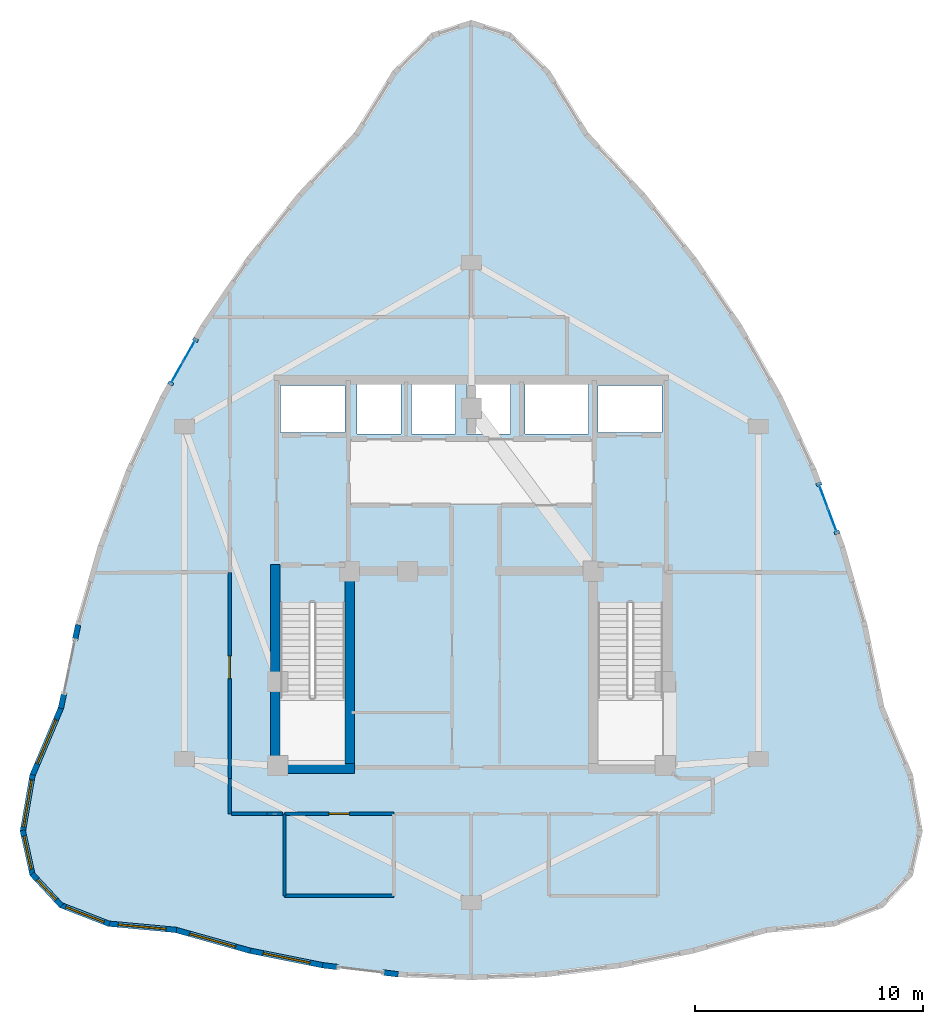
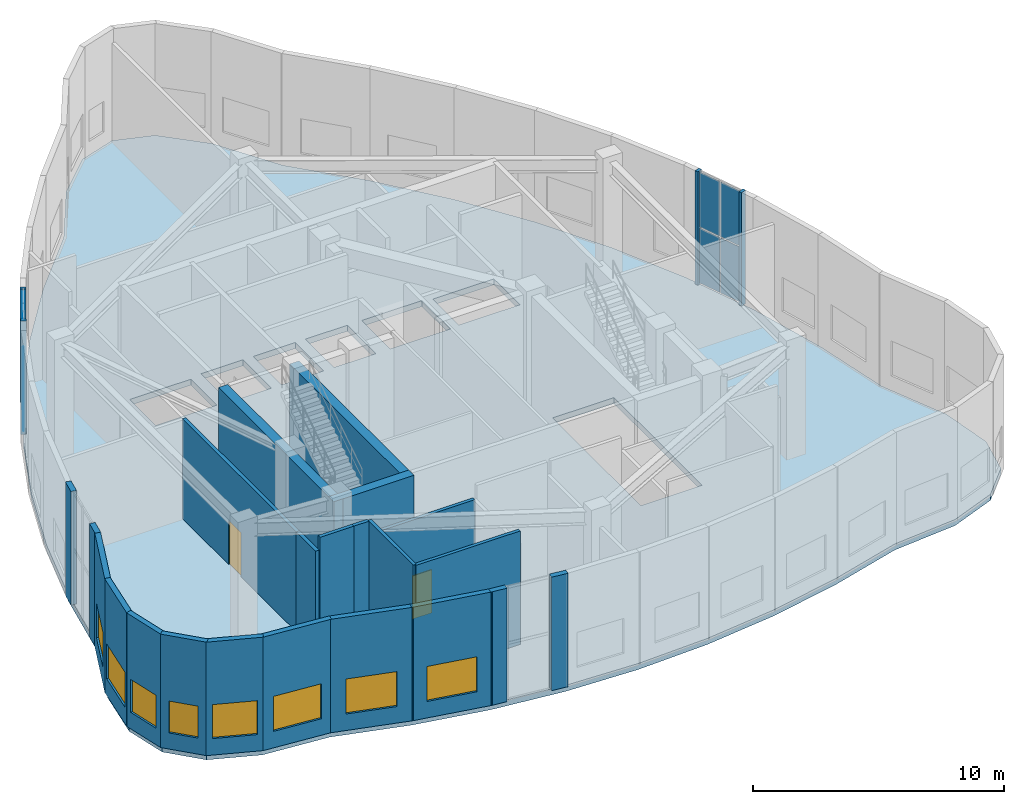
# One storey, part 11 of 16: 22 walls, 12 plates, 8 windows, 2 doors, 1 slab, 10 openings, 2 elements without a shape of their own.
"""IFC4 building model written with IfcOpenShell, lengths in metres."""

from ifc_helpers import new_model, si_unit, direction, frame, frame_2d, origin, origin_2d, place, context, subcontext, project, spatial, polyline, rectangle, outline, extrude, material, layer, layer_set, type_object, element, fill, aggregate, save


model = new_model("IFC4")

# Units and contexts
model_context = context("Model", 3, precision=1e-05, world=origin(), true_north=direction((0.0, 1.0)))
body_context = subcontext(model_context, "Body", "Model", "MODEL_VIEW")
ifc_project = project(units=[si_unit("LENGTHUNIT", "METRE"), si_unit("AREAUNIT", "SQUARE_METRE"), si_unit("VOLUMEUNIT", "CUBIC_METRE"), si_unit("PLANEANGLEUNIT", "RADIAN"), si_unit("MASSUNIT", "GRAM", prefix="KILO")], contexts=[model_context])

# Site, building, storey
site_placement = place(None, origin())
site = spatial("IfcSite", under=ifc_project, at=site_placement, CompositionType="ELEMENT")
building_placement = place(site_placement, origin())
building = spatial("IfcBuilding", under=site, at=building_placement, Name="Miruveldt Soraemaru", CompositionType="ELEMENT")
storey_placement = place(building_placement, frame((0.0, 0.0, 289.60009765625)))
storey = spatial("IfcBuildingStorey", under=building, at=storey_placement, Name="L78", CompositionType="ELEMENT", Elevation=289.60009765625)

# Curtain wall, plates
ifc_material_1 = material(Name="Anodised aluminium EN AW-6063 T6", Category="aluminium")
ifc_layer_1 = layer(ifc_material_1, 0.1650390625, Name="Anodised aluminium EN AW-6063 T6", Category="aluminium")
ifc_layer_set_1 = layer_set([ifc_layer_1], Name="Anodised aluminium EN AW-6063 T6")
curtain_wall_type = type_object("IfcCurtainWallType", Name="CW-SYS-5", PredefinedType="USERDEFINED", material=ifc_layer_set_1)
curtain_wall_1_placement = place(storey_placement, origin())
curtain_wall_1 = element("IfcCurtainWall", 1, at=curtain_wall_1_placement, inside=storey, type_object=curtain_wall_type, Name="L78 Curtain Wall Bay 10", ObjectType="UNITISED GLAZING", PredefinedType="USERDEFINED")
ifc_material_2 = material(Name="Triple low-e insulated glazing", Category="glass")
ifc_layer_2 = layer(ifc_material_2, 0.02587890625, Name="Triple low-e insulated glazing", Category="glass")
ifc_layer_set_2 = layer_set([ifc_layer_2], Name="Triple low-e insulated glazing")
plate_type_1 = type_object("IfcPlateType", Name="CWP-5", PredefinedType="CURTAIN_PANEL", material=ifc_layer_set_2)
plate_1_placement = place(storey_placement, frame((31.6162109375, 53.711181640625, 0.059814453125), z_axis=(0.0, 0.0, 1.0), x_axis=(-0.493324207437, -0.869845518674, 0.0)))
plate_1 = element("IfcPlate", 2, at=plate_1_placement, type_object=plate_type_1, Name="CW-5 panel 1.1", PredefinedType="CURTAIN_PANEL", context=body_context, shape_type="SweptSolid", body=[
    extrude(rectangle(XDim=1.010986328125, YDim=0.02587890625, at=origin_2d()), origin(), (0.0, 0.0, 1.0), 2.6650390625),
])
plate_2_placement = place(storey_placement, frame((31.6162109375, 53.711181640625, 2.784912109375), z_axis=(0.0, 0.0, 1.0), x_axis=(-0.493324207437, -0.869845518674, 0.0)))
plate_2 = element("IfcPlate", 3, at=plate_2_placement, type_object=plate_type_1, Name="CW-5 panel 1.2", PredefinedType="CURTAIN_PANEL", context=body_context, shape_type="SweptSolid", body=[
    extrude(rectangle(XDim=1.010986328125, YDim=0.02587890625, at=origin_2d()), origin(), (0.0, 0.0, 1.0), 2.6650390625),
])
plate_3_placement = place(storey_placement, frame((31.087890625, 52.77978515625, 0.059814453125), z_axis=(0.0, 0.0, 1.0), x_axis=(-0.493324207437, -0.869845518674, 0.0)))
plate_3 = element("IfcPlate", 4, at=plate_3_placement, type_object=plate_type_1, Name="CW-5 panel 2.1", PredefinedType="CURTAIN_PANEL", context=body_context, shape_type="SweptSolid", body=[
    extrude(rectangle(XDim=1.010986328125, YDim=0.02587890625, at=origin_2d()), origin(), (0.0, 0.0, 1.0), 2.6650390625),
])
plate_4_placement = place(storey_placement, frame((31.087890625, 52.77978515625, 2.784912109375), z_axis=(0.0, 0.0, 1.0), x_axis=(-0.493324207437, -0.869845518674, 0.0)))
plate_4 = element("IfcPlate", 5, at=plate_4_placement, type_object=plate_type_1, Name="CW-5 panel 2.2", PredefinedType="CURTAIN_PANEL", context=body_context, shape_type="SweptSolid", body=[
    extrude(rectangle(XDim=1.010986328125, YDim=0.02587890625, at=origin_2d()), origin(), (0.0, 0.0, 1.0), 2.6650390625),
])
aggregate(curtain_wall_1, [plate_1, plate_2, plate_3, plate_4])

curtain_wall_2_placement = place(storey_placement, origin())
curtain_wall_2 = element("IfcCurtainWall", 6, at=curtain_wall_2_placement, inside=storey, type_object=curtain_wall_type, Name="L78 Curtain Wall Bay 37", ObjectType="UNITISED GLAZING", PredefinedType="USERDEFINED")
plate_5_placement = place(storey_placement, frame((59.843505859375, 46.286376953125, 0.059814453125), z_axis=(0.0, 0.0, 1.0), x_axis=(-0.348989723009, 0.937126551344, 0.0)))
plate_5 = element("IfcPlate", 7, at=plate_5_placement, type_object=plate_type_1, Name="CW-5 panel 1.1", PredefinedType="CURTAIN_PANEL", context=body_context, shape_type="SweptSolid", body=[
    extrude(rectangle(XDim=1.04296875, YDim=0.02587890625, at=origin_2d()), origin(), (0.0, 0.0, 1.0), 2.6650390625),
])
plate_6_placement = place(storey_placement, frame((59.843505859375, 46.286376953125, 2.784912109375), z_axis=(0.0, 0.0, 1.0), x_axis=(-0.348989723009, 0.937126551344, 0.0)))
plate_6 = element("IfcPlate", 8, at=plate_6_placement, type_object=plate_type_1, Name="CW-5 panel 1.2", PredefinedType="CURTAIN_PANEL", context=body_context, shape_type="SweptSolid", body=[
    extrude(rectangle(XDim=1.04296875, YDim=0.02587890625, at=origin_2d()), origin(), (0.0, 0.0, 1.0), 2.6650390625),
])
plate_7_placement = place(storey_placement, frame((59.458740234375, 47.320068359375, 0.059814453125), z_axis=(0.0, 0.0, 1.0), x_axis=(-0.348989723009, 0.937126551344, 0.0)))
plate_7 = element("IfcPlate", 9, at=plate_7_placement, type_object=plate_type_1, Name="CW-5 panel 2.1", PredefinedType="CURTAIN_PANEL", context=body_context, shape_type="SweptSolid", body=[
    extrude(rectangle(XDim=1.04296875, YDim=0.02587890625, at=origin_2d()), origin(), (0.0, 0.0, 1.0), 2.6650390625),
])
plate_8_placement = place(storey_placement, frame((59.458740234375, 47.320068359375, 2.784912109375), z_axis=(0.0, 0.0, 1.0), x_axis=(-0.348989723009, 0.937126551344, 0.0)))
plate_8 = element("IfcPlate", 10, at=plate_8_placement, type_object=plate_type_1, Name="CW-5 panel 2.2", PredefinedType="CURTAIN_PANEL", context=body_context, shape_type="SweptSolid", body=[
    extrude(rectangle(XDim=1.04296875, YDim=0.02587890625, at=origin_2d()), origin(), (0.0, 0.0, 1.0), 2.6650390625),
])
aggregate(curtain_wall_2, [plate_5, plate_6, plate_7, plate_8])

# Plates
ifc_layer_3 = layer(ifc_material_1, 0.030029296875, Name="Anodised aluminium EN AW-6063 T6", Category="aluminium")
ifc_layer_set_3 = layer_set([ifc_layer_3], Name="Anodised aluminium EN AW-6063 T6")
plate_type_2 = type_object("IfcPlateType", Name="PLT-JAMB-30", PredefinedType="SHEET", material=ifc_layer_set_3)
for number, where, z_axis, x_axis, name in (
    (11, (31.895263671875, 54.203125, 0.0), (0.0, 0.0, 1.0), (-0.493349905778, -0.869830943614, 0.0), "L78 Curtain Wall Jamb Closure Trim 10JL"),
    (12, (30.808837890625, 52.287841796875, 0.0), (0.0, 0.0, 1.0), (-0.493349905778, -0.869830943614, 0.0), "L78 Curtain Wall Jamb Closure Trim 10JR"),
    (13, (60.04638671875, 45.741455078125, 0.0), (0.0, 0.0, 1.0), (-0.349013692334, 0.937117624721, 0.0), "L78 Curtain Wall Jamb Closure Trim 37JL"),
    (14, (59.255615234375, 47.864990234375, 0.0), (0.0, 0.0, 1.0), (-0.349013692334, 0.937117624721, 0.0), "L78 Curtain Wall Jamb Closure Trim 37JR"),
):
    element("IfcPlate", number, at=place(storey_placement, frame(where, z_axis=z_axis, x_axis=x_axis)), inside=storey, type_object=plate_type_2, Name=name, PredefinedType="SHEET", context=body_context, shape_type="SweptSolid", body=[
        extrude(rectangle(XDim=0.139892578125, YDim=0.239990234375, at=origin_2d()), origin(), (0.0, 0.0, 1.0), 5.510009765625),
    ])

# Slab
ifc_material_3 = material(Name="Concrete C40/50 (40 MPa)", Category="concrete")
ifc_layer_4 = layer(ifc_material_3, 0.2900390625, Name="Concrete C40/50 (40 MPa)", Category="concrete")
ifc_layer_set_4 = layer_set([ifc_layer_4], Name="Concrete C40/50 (40 MPa)")
slab_type = type_object("IfcSlabType", Name="SLAB-OBSV-290", PredefinedType="FLOOR", material=ifc_layer_set_4)
slab_placement = place(storey_placement, frame((0.0, 0.0, -0.2900390625)))
element("IfcSlab", 15, at=slab_placement, inside=storey, type_object=slab_type, Name="L78 Structural Floor Slab", PredefinedType="FLOOR", context=body_context, shape_type="SweptSolid", body=[
    extrude(outline(polyline([(51.532470703125, 60.543701171875), (53.7841796875, 57.720947265625), (55.7841796875, 54.7685546875), (57.5322265625, 51.686279296875), (59.02880859375, 48.47412109375), (60.2734375, 45.13232421875), (61.266357421875, 41.660888671875), (62.007568359375, 38.059326171875), (63.2646484375, 35.07861328125), (63.68359375, 32.6396484375), (63.2646484375, 30.742919921875), (62.007568359375, 29.387939453125), (59.912109375, 28.574951171875), (56.978515625, 28.303955078125), (53.73388671875, 27.3955078125), (50.4892578125, 26.74658203125), (47.24462890625, 26.357177734375), (44.0, 26.227294921875), (40.75537109375, 26.357177734375), (37.5107421875, 26.74658203125), (34.26611328125, 27.3955078125), (31.021484375, 28.303955078125), (28.087890625, 28.574951171875), (25.992431640625, 29.387939453125), (24.7353515625, 30.742919921875), (24.31640625, 32.6396484375), (24.7353515625, 35.07861328125), (25.992431640625, 38.059326171875), (26.733642578125, 41.660888671875), (27.7265625, 45.13232421875), (28.97119140625, 48.47412109375), (30.4677734375, 51.686279296875), (32.2158203125, 54.7685546875), (34.2158203125, 57.720947265625), (36.467529296875, 60.543701171875), (38.97119140625, 63.236572265625), (40.6474609375, 65.9462890625), (42.32373046875, 67.572265625), (44.0, 68.1142578125), (45.67626953125, 67.572265625), (47.3525390625, 65.9462890625), (49.02880859375, 63.236572265625), (51.532470703125, 60.543701171875)]), holes=[polyline([(35.614990234375, 35.6650390625), (38.43505859375, 35.6650390625), (38.43505859375, 42.68505859375), (35.614990234375, 42.68505859375), (35.614990234375, 35.6650390625)]), polyline([(49.56494140625, 35.6650390625), (52.385009765625, 35.6650390625), (52.385009765625, 42.68505859375), (49.56494140625, 42.68505859375), (49.56494140625, 35.6650390625)]), polyline([(38.445068359375, 50.135009765625), (38.445068359375, 52.205078125), (35.635009765625, 52.205078125), (35.635009765625, 50.135009765625), (38.445068359375, 50.135009765625)]), polyline([(52.364990234375, 50.135009765625), (52.364990234375, 52.205078125), (49.554931640625, 52.205078125), (49.554931640625, 50.135009765625), (52.364990234375, 50.135009765625)]), polyline([(40.9150390625, 50.06494140625), (40.9150390625, 52.3349609375), (38.985107421875, 52.3349609375), (38.985107421875, 50.06494140625), (40.9150390625, 50.06494140625)]), polyline([(43.31494140625, 50.06494140625), (43.31494140625, 52.3349609375), (41.385009765625, 52.3349609375), (41.385009765625, 50.06494140625), (43.31494140625, 50.06494140625)]), polyline([(45.715087890625, 50.06494140625), (45.715087890625, 52.3349609375), (43.784912109375, 52.3349609375), (43.784912109375, 50.06494140625), (45.715087890625, 50.06494140625)]), polyline([(49.135009765625, 50.06494140625), (49.135009765625, 52.3349609375), (46.364990234375, 52.3349609375), (46.364990234375, 50.06494140625), (49.135009765625, 50.06494140625)])]), origin(), (0.0, 0.0, 1.0), 0.2900390625),
])

# Walls
ifc_material_4 = material(Name="Concrete C50/60 (50 MPa)", Category="concrete")
ifc_layer_5 = layer(ifc_material_4, 0.419921875, Name="Concrete C50/60 (50 MPa)", Category="concrete")
ifc_layer_set_5 = layer_set([ifc_layer_5], Name="Concrete C50/60 (50 MPa)")
wall_type_1 = type_object("IfcWallType", Name="WALL-CW-420", PredefinedType="SHEAR", material=ifc_layer_set_5)
wall_1_placement = place(storey_placement, frame((35.179931640625, 35.389892578125, 0.0), z_axis=(0.0, 0.0, 1.0), x_axis=(1.0, 0.0, 0.0)))
element("IfcWall", 16, at=wall_1_placement, inside=storey, type_object=wall_type_1, Name="L78 Central Core Shear Wall S1", PredefinedType="SHEAR", context=body_context, shape_type="SweptSolid", body=[
    extrude(rectangle(XDim=3.690185546875, YDim=0.419921875, at=frame_2d((1.84521484375, 0.0))), origin(), (0.0, 0.0, 1.0), 5.510009765625),
])
wall_2_placement = place(storey_placement, frame((35.389892578125, 35.179931640625, 0.0), z_axis=(0.0, 0.0, 1.0), x_axis=(0.0, 1.0, 0.0)))
element("IfcWall", 17, at=wall_2_placement, inside=storey, type_object=wall_type_1, Name="L78 Central Core Shear Wall W1", PredefinedType="SHEAR", context=body_context, shape_type="SweptSolid", body=[
    extrude(rectangle(XDim=9.170166015625, YDim=0.419921875, at=frame_2d((4.5849609375, 0.0))), origin(), (0.0, 0.0, 1.0), 5.510009765625),
])
wall_3_placement = place(storey_placement, frame((38.659912109375, 35.39990234375, 0.0), z_axis=(0.0, 0.0, 1.0), x_axis=(0.0, 1.0, 0.0)))
element("IfcWall", 18, at=wall_3_placement, inside=storey, type_object=wall_type_1, Name="L78 Central Core Shear Wall SW-INT", PredefinedType="SHEAR", context=body_context, shape_type="SweptSolid", body=[
    extrude(rectangle(XDim=8.9501953125, YDim=0.419921875, at=frame_2d((4.47509765625, 0.0))), origin(), (0.0, 0.0, 1.0), 5.510009765625),
])
ifc_material_5 = material(Name="Precast concrete C45/55 (45 MPa)", Category="concrete")
ifc_layer_6 = layer(ifc_material_5, 0.239990234375, Name="Precast concrete C45/55 (45 MPa)", Category="concrete")
ifc_layer_set_6 = layer_set([ifc_layer_6], Name="Precast concrete C45/55 (45 MPa)")
wall_type_2 = type_object("IfcWallType", Name="WALL-EXT-PC240", PredefinedType="SOLIDWALL", material=ifc_layer_set_6)
for number, where, z_axis, x_axis, name in (
    (19, (26.74072265625, 41.695068359375, 0.0), (0.0, 0.0, 1.0), (-0.201574740151, -0.979473135993, 0.0), "L78 Precast Pier Left 14"),
    (20, (26.12744140625, 38.715576171875, 0.0), (0.0, 0.0, 1.0), (-0.201574740151, -0.979473135993, 0.0), "L78 Precast Pier Right 14"),
):
    element("IfcWall", number, at=place(storey_placement, frame(where, z_axis=z_axis, x_axis=x_axis)), inside=storey, type_object=wall_type_2, Name=name, PredefinedType="SOLIDWALL", context=body_context, shape_type="SweptSolid", body=[
        extrude(rectangle(XDim=0.704833984375, YDim=0.239990234375, at=frame_2d((0.3525390625, 0.0))), origin(), (0.0, 0.0, 1.0), 5.510009765625),
    ])

# Wall, opening, window
wall_4_placement = place(storey_placement, frame((26.006103515625, 38.091552734375, 0.0), z_axis=(0.0, 0.0, 1.0), x_axis=(-0.388634854996, -0.921391854469, 0.0)))
wall_4 = element("IfcWall", 21, at=wall_4_placement, inside=storey, type_object=wall_type_2, Name="L78 Precast Concrete Facade Wall 15", PredefinedType="SOLIDWALL", context=body_context, shape_type="SweptSolid", body=[
    extrude(rectangle(XDim=3.304931640625, YDim=0.239990234375, at=frame_2d((1.65234375, 0.0))), origin(), (0.0, 0.0, 1.0), 5.510009765625),
])
opening_1_placement = place(wall_4_placement, frame((0.60302734375, 0.0, 0.800048828125)))
opening_1 = element("IfcOpeningElement", 22, at=opening_1_placement, cuts=wall_4, Name="Opening WN-1", PredefinedType="OPENING", context=body_context, shape_type="SweptSolid", body=[
    extrude(rectangle(XDim=2.10009765625, YDim=1.699951171875, at=frame_2d((1.050048828125, 0.85009765625))), frame((0.0, 0.1298828125, 0.0), z_axis=(0.0, -1.0, 0.0), x_axis=(1.0, 0.0, 0.0)), (0.0, 0.0, 1.0), 0.260009765625),
])
window_type_1 = type_object("IfcWindowType", Name="WIN-PUNCH-2100x1700", PartitioningType="SINGLE_PANEL", PredefinedType="WINDOW", material=ifc_material_2)
window_1_placement = place(opening_1_placement, origin())
window_1 = element("IfcWindow", 23, at=window_1_placement, inside=storey, type_object=window_type_1, Name="L78 Punched Triple-Glazed Window 15.1", OverallHeight=1.699951171875, OverallWidth=2.10009765625, PartitioningType="SINGLE_PANEL", PredefinedType="WINDOW", context=body_context, shape_type="SweptSolid", body=[
    extrude(rectangle(XDim=2.10009765625, YDim=1.699951171875, at=frame_2d((1.050048828125, 0.85009765625))), frame((0.0, 0.030029296875, 0.0), z_axis=(0.0, -1.0, 0.0), x_axis=(1.0, 0.0, 0.0)), (0.0, 0.0, 1.0), 0.06005859375),
])
fill(opening_1, window_1)

wall_5_placement = place(storey_placement, frame((24.7412109375, 35.113037109375, 0.0), z_axis=(0.0, 0.0, 1.0), x_axis=(-0.169344618937, -0.985556898427, 0.0)))
wall_5 = element("IfcWall", 24, at=wall_5_placement, inside=storey, type_object=wall_type_2, Name="L78 Precast Concrete Facade Wall 16", PredefinedType="SOLIDWALL", context=body_context, shape_type="SweptSolid", body=[
    extrude(rectangle(XDim=2.544677734375, YDim=0.239990234375, at=frame_2d((1.2724609375, 0.0))), origin(), (0.0, 0.0, 1.0), 5.510009765625),
])
opening_2_placement = place(wall_5_placement, frame((0.222900390625, 0.0, 0.800048828125)))
opening_2 = element("IfcOpeningElement", 25, at=opening_2_placement, cuts=wall_5, Name="Opening WN-1", PredefinedType="OPENING", context=body_context, shape_type="SweptSolid", body=[
    extrude(rectangle(XDim=2.10009765625, YDim=1.699951171875, at=frame_2d((1.050048828125, 0.85009765625))), frame((0.0, 0.1298828125, 0.0), z_axis=(0.0, -1.0, 0.0), x_axis=(1.0, 0.0, 0.0)), (0.0, 0.0, 1.0), 0.260009765625),
])
window_2_placement = place(opening_2_placement, origin())
window_2 = element("IfcWindow", 26, at=window_2_placement, inside=storey, type_object=window_type_1, Name="L78 Punched Triple-Glazed Window 16.1", OverallHeight=1.699951171875, OverallWidth=2.10009765625, PartitioningType="SINGLE_PANEL", PredefinedType="WINDOW", context=body_context, shape_type="SweptSolid", body=[
    extrude(rectangle(XDim=2.10009765625, YDim=1.699951171875, at=frame_2d((1.050048828125, 0.85009765625))), frame((0.0, 0.030029296875, 0.0), z_axis=(0.0, -1.0, 0.0), x_axis=(1.0, 0.0, 0.0)), (0.0, 0.0, 1.0), 0.06005859375),
])
fill(opening_2, window_2)

wall_6_placement = place(storey_placement, frame((24.308837890625, 32.673828125, 0.0), z_axis=(0.0, 0.0, 1.0), x_axis=(0.215671610387, -0.976465952542, 0.0)))
wall_6 = element("IfcWall", 27, at=wall_6_placement, inside=storey, type_object=wall_type_2, Name="L78 Precast Concrete Facade Wall 17", PredefinedType="SOLIDWALL", context=body_context, shape_type="SweptSolid", body=[
    extrude(rectangle(XDim=2.0126953125, YDim=0.239990234375, at=frame_2d((1.00634765625, 0.0))), origin(), (0.0, 0.0, 1.0), 5.510009765625),
])
opening_3_placement = place(wall_6_placement, frame((0.256103515625, 0.0, 0.800048828125)))
opening_3 = element("IfcOpeningElement", 28, at=opening_3_placement, cuts=wall_6, Name="Opening WN-3", PredefinedType="OPENING", context=body_context, shape_type="SweptSolid", body=[
    extrude(rectangle(XDim=1.5, YDim=1.60009765625, at=frame_2d((0.75, 0.800048828125))), frame((0.0, 0.1298828125, 0.0), z_axis=(0.0, -1.0, 0.0), x_axis=(1.0, 0.0, 0.0)), (0.0, 0.0, 1.0), 0.260009765625),
])
window_type_2 = type_object("IfcWindowType", Name="WIN-PUNCH-1500x1600", PartitioningType="SINGLE_PANEL", PredefinedType="WINDOW", material=ifc_material_2)
window_3_placement = place(opening_3_placement, origin())
window_3 = element("IfcWindow", 29, at=window_3_placement, inside=storey, type_object=window_type_2, Name="L78 Punched Triple-Glazed Window 17.1", OverallHeight=1.60009765625, OverallWidth=1.5, PartitioningType="SINGLE_PANEL", PredefinedType="WINDOW", context=body_context, shape_type="SweptSolid", body=[
    extrude(rectangle(XDim=1.5, YDim=1.60009765625, at=frame_2d((0.75, 0.800048828125))), frame((0.0, 0.030029296875, 0.0), z_axis=(0.0, -1.0, 0.0), x_axis=(1.0, 0.0, 0.0)), (0.0, 0.0, 1.0), 0.06005859375),
])
fill(opening_3, window_3)

wall_7_placement = place(storey_placement, frame((24.71142578125, 30.7685546875, 0.0), z_axis=(0.0, 0.0, 1.0), x_axis=(0.680207000528, -0.733020079147, 0.0)))
wall_7 = element("IfcWall", 30, at=wall_7_placement, inside=storey, type_object=wall_type_2, Name="L78 Precast Concrete Facade Wall 18", PredefinedType="SOLIDWALL", context=body_context, shape_type="SweptSolid", body=[
    extrude(rectangle(XDim=1.91845703125, YDim=0.239990234375, at=frame_2d((0.959228515625, 0.0))), origin(), (0.0, 0.0, 1.0), 5.510009765625),
])
opening_4_placement = place(wall_7_placement, frame((0.35888671875, 0.0, 0.780029296875)))
opening_4 = element("IfcOpeningElement", 31, at=opening_4_placement, cuts=wall_7, Name="Opening WN-4", PredefinedType="OPENING", context=body_context, shape_type="SweptSolid", body=[
    extrude(rectangle(XDim=1.199951171875, YDim=1.550048828125, at=frame_2d((0.60009765625, 0.77490234375))), frame((0.0, 0.1298828125, 0.0), z_axis=(0.0, -1.0, 0.0), x_axis=(1.0, 0.0, 0.0)), (0.0, 0.0, 1.0), 0.260009765625),
])
window_type_3 = type_object("IfcWindowType", Name="WIN-PUNCH-1200x1550", PartitioningType="SINGLE_PANEL", PredefinedType="WINDOW", material=ifc_material_2)
window_4_placement = place(opening_4_placement, origin())
window_4 = element("IfcWindow", 32, at=window_4_placement, inside=storey, type_object=window_type_3, Name="L78 Punched Triple-Glazed Window 18.1", OverallHeight=1.550048828125, OverallWidth=1.199951171875, PartitioningType="SINGLE_PANEL", PredefinedType="WINDOW", context=body_context, shape_type="SweptSolid", body=[
    extrude(rectangle(XDim=1.199951171875, YDim=1.550048828125, at=frame_2d((0.60009765625, 0.77490234375))), frame((0.0, 0.030029296875, 0.0), z_axis=(0.0, -1.0, 0.0), x_axis=(1.0, 0.0, 0.0)), (0.0, 0.0, 1.0), 0.06005859375),
])
fill(opening_4, window_4)

wall_8_placement = place(storey_placement, frame((25.9599609375, 29.400634765625, 0.0), z_axis=(0.0, 0.0, 1.0), x_axis=(0.932277223683, -0.361744631201, 0.0)))
wall_8 = element("IfcWall", 33, at=wall_8_placement, inside=storey, type_object=wall_type_2, Name="L78 Precast Concrete Facade Wall 19", PredefinedType="SOLIDWALL", context=body_context, shape_type="SweptSolid", body=[
    extrude(rectangle(XDim=2.317626953125, YDim=0.239990234375, at=frame_2d((1.15869140625, 0.0))), origin(), (0.0, 0.0, 1.0), 5.510009765625),
])
opening_5_placement = place(wall_8_placement, frame((0.259033203125, 0.0, 0.800048828125)))
opening_5 = element("IfcOpeningElement", 34, at=opening_5_placement, cuts=wall_8, Name="Opening WN-2", PredefinedType="OPENING", context=body_context, shape_type="SweptSolid", body=[
    extrude(rectangle(XDim=1.800048828125, YDim=1.64990234375, at=frame_2d((0.89990234375, 0.824951171875))), frame((0.0, 0.1298828125, 0.0), z_axis=(0.0, -1.0, 0.0), x_axis=(1.0, 0.0, 0.0)), (0.0, 0.0, 1.0), 0.260009765625),
])
window_type_4 = type_object("IfcWindowType", Name="WIN-PUNCH-1800x1650", PartitioningType="SINGLE_PANEL", PredefinedType="WINDOW", material=ifc_material_2)
window_5_placement = place(opening_5_placement, origin())
window_5 = element("IfcWindow", 35, at=window_5_placement, inside=storey, type_object=window_type_4, Name="L78 Punched Triple-Glazed Window 19.1", OverallHeight=1.64990234375, OverallWidth=1.800048828125, PartitioningType="SINGLE_PANEL", PredefinedType="WINDOW", context=body_context, shape_type="SweptSolid", body=[
    extrude(rectangle(XDim=1.800048828125, YDim=1.64990234375, at=frame_2d((0.89990234375, 0.824951171875))), frame((0.0, 0.030029296875, 0.0), z_axis=(0.0, -1.0, 0.0), x_axis=(1.0, 0.0, 0.0)), (0.0, 0.0, 1.0), 0.06005859375),
])
fill(opening_5, window_5)

wall_9_placement = place(storey_placement, frame((28.052978515625, 28.578125, 0.0), z_axis=(0.0, 0.0, 1.0), x_axis=(0.99576348704, -0.091951497421, 0.0)))
wall_9 = element("IfcWall", 36, at=wall_9_placement, inside=storey, type_object=wall_type_2, Name="L78 Precast Concrete Facade Wall 20", PredefinedType="SOLIDWALL", context=body_context, shape_type="SweptSolid", body=[
    extrude(rectangle(XDim=3.01611328125, YDim=0.239990234375, at=frame_2d((1.508056640625, 0.0))), origin(), (0.0, 0.0, 1.0), 5.510009765625),
])
opening_6_placement = place(wall_9_placement, frame((0.4580078125, 0.0, 0.800048828125)))
opening_6 = element("IfcOpeningElement", 37, at=opening_6_placement, cuts=wall_9, Name="Opening WN-1", PredefinedType="OPENING", context=body_context, shape_type="SweptSolid", body=[
    extrude(rectangle(XDim=2.10009765625, YDim=1.699951171875, at=frame_2d((1.050048828125, 0.85009765625))), frame((0.0, 0.1298828125, 0.0), z_axis=(0.0, -1.0, 0.0), x_axis=(1.0, 0.0, 0.0)), (0.0, 0.0, 1.0), 0.260009765625),
])
window_6_placement = place(opening_6_placement, origin())
window_6 = element("IfcWindow", 38, at=window_6_placement, inside=storey, type_object=window_type_1, Name="L78 Punched Triple-Glazed Window 20.1", OverallHeight=1.699951171875, OverallWidth=2.10009765625, PartitioningType="SINGLE_PANEL", PredefinedType="WINDOW", context=body_context, shape_type="SweptSolid", body=[
    extrude(rectangle(XDim=2.10009765625, YDim=1.699951171875, at=frame_2d((1.050048828125, 0.85009765625))), frame((0.0, 0.030029296875, 0.0), z_axis=(0.0, -1.0, 0.0), x_axis=(1.0, 0.0, 0.0)), (0.0, 0.0, 1.0), 0.06005859375),
])
fill(opening_6, window_6)

wall_10_placement = place(storey_placement, frame((30.98779296875, 28.3134765625, 0.0), z_axis=(0.0, 0.0, 1.0), x_axis=(0.962954435357, -0.269664153024, 0.0)))
wall_10 = element("IfcWall", 39, at=wall_10_placement, inside=storey, type_object=wall_type_2, Name="L78 Precast Concrete Facade Wall 21", PredefinedType="SOLIDWALL", context=body_context, shape_type="SweptSolid", body=[
    extrude(rectangle(XDim=3.439453125, YDim=0.239990234375, at=frame_2d((1.7197265625, 0.0))), origin(), (0.0, 0.0, 1.0), 5.510009765625),
])
opening_7_placement = place(wall_10_placement, frame((0.6689453125, 0.0, 0.800048828125)))
opening_7 = element("IfcOpeningElement", 40, at=opening_7_placement, cuts=wall_10, Name="Opening WN-1", PredefinedType="OPENING", context=body_context, shape_type="SweptSolid", body=[
    extrude(rectangle(XDim=2.10009765625, YDim=1.699951171875, at=frame_2d((1.050048828125, 0.85009765625))), frame((0.0, 0.1298828125, 0.0), z_axis=(0.0, -1.0, 0.0), x_axis=(1.0, 0.0, 0.0)), (0.0, 0.0, 1.0), 0.260009765625),
])
window_7_placement = place(opening_7_placement, origin())
window_7 = element("IfcWindow", 41, at=window_7_placement, inside=storey, type_object=window_type_1, Name="L78 Punched Triple-Glazed Window 21.1", OverallHeight=1.699951171875, OverallWidth=2.10009765625, PartitioningType="SINGLE_PANEL", PredefinedType="WINDOW", context=body_context, shape_type="SweptSolid", body=[
    extrude(rectangle(XDim=2.10009765625, YDim=1.699951171875, at=frame_2d((1.050048828125, 0.85009765625))), frame((0.0, 0.030029296875, 0.0), z_axis=(0.0, -1.0, 0.0), x_axis=(1.0, 0.0, 0.0)), (0.0, 0.0, 1.0), 0.06005859375),
])
fill(opening_7, window_7)

wall_11_placement = place(storey_placement, frame((34.231689453125, 27.40234375, 0.0), z_axis=(0.0, 0.0, 1.0), x_axis=(0.980583454662, -0.196102239772, 0.0)))
wall_11 = element("IfcWall", 42, at=wall_11_placement, inside=storey, type_object=wall_type_2, Name="L78 Precast Concrete Facade Wall 22", PredefinedType="SOLIDWALL", context=body_context, shape_type="SweptSolid", body=[
    extrude(rectangle(XDim=3.37890625, YDim=0.239990234375, at=frame_2d((1.689453125, 0.0))), origin(), (0.0, 0.0, 1.0), 5.510009765625),
])
opening_8_placement = place(wall_11_placement, frame((0.638916015625, 0.0, 0.800048828125)))
opening_8 = element("IfcOpeningElement", 43, at=opening_8_placement, cuts=wall_11, Name="Opening WN-1", PredefinedType="OPENING", context=body_context, shape_type="SweptSolid", body=[
    extrude(rectangle(XDim=2.10009765625, YDim=1.699951171875, at=frame_2d((1.050048828125, 0.85009765625))), frame((0.0, 0.1298828125, 0.0), z_axis=(0.0, -1.0, 0.0), x_axis=(1.0, 0.0, 0.0)), (0.0, 0.0, 1.0), 0.260009765625),
])
window_8_placement = place(opening_8_placement, origin())
window_8 = element("IfcWindow", 44, at=window_8_placement, inside=storey, type_object=window_type_1, Name="L78 Punched Triple-Glazed Window 22.1", OverallHeight=1.699951171875, OverallWidth=2.10009765625, PartitioningType="SINGLE_PANEL", PredefinedType="WINDOW", context=body_context, shape_type="SweptSolid", body=[
    extrude(rectangle(XDim=2.10009765625, YDim=1.699951171875, at=frame_2d((1.050048828125, 0.85009765625))), frame((0.0, 0.030029296875, 0.0), z_axis=(0.0, -1.0, 0.0), x_axis=(1.0, 0.0, 0.0)), (0.0, 0.0, 1.0), 0.06005859375),
])
fill(opening_8, window_8)

# Walls
for number, where, z_axis, x_axis, name in (
    (45, (37.475830078125, 26.750732421875, 0.0), (0.0, 0.0, 1.0), (0.992878477097, -0.119131564744, 0.0), "L78 Precast Pier Left 23"),
    (46, (40.090087890625, 26.43701171875, 0.0), (0.0, 0.0, 1.0), (0.992878477097, -0.119131564744, 0.0), "L78 Precast Pier Right 23"),
):
    element("IfcWall", number, at=place(storey_placement, frame(where, z_axis=z_axis, x_axis=x_axis)), inside=storey, type_object=wall_type_2, Name=name, PredefinedType="SOLIDWALL", context=body_context, shape_type="SweptSolid", body=[
        extrude(rectangle(XDim=0.705078125, YDim=0.239990234375, at=frame_2d((0.3525390625, 0.0))), origin(), (0.0, 0.0, 1.0), 5.510009765625),
    ])

# Wall, opening, door
ifc_material_6 = material(Name="Gypsum plasterboard lining", Category="gypsum")
ifc_layer_7 = layer(ifc_material_6, 0.14990234375, Name="Gypsum plasterboard lining", Category="gypsum")
ifc_layer_set_7 = layer_set([ifc_layer_7], Name="Gypsum plasterboard lining")
wall_type_3 = type_object("IfcWallType", Name="WALL-INT-PLUMB", PredefinedType="PLUMBINGWALL", material=ifc_layer_set_7)
wall_12_placement = place(storey_placement, frame((35.800048828125, 33.39990234375, 0.0), z_axis=(0.0, 0.0, 1.0), x_axis=(1.0, 0.0, 0.0)))
wall_12 = element("IfcWall", 47, at=wall_12_placement, inside=storey, type_object=wall_type_3, Name="L78 Partition Wall 1", PredefinedType="PLUMBINGWALL", context=body_context, shape_type="SweptSolid", body=[
    extrude(rectangle(XDim=4.800048828125, YDim=0.14990234375, at=frame_2d((2.39990234375, 0.0))), origin(), (0.0, 0.0, 1.0), 4.847900390625),
])
opening_9_placement = place(wall_12_placement, frame((1.949951171875, 0.0, 0.0)))
opening_9 = element("IfcOpeningElement", 48, at=opening_9_placement, cuts=wall_12, Name="Opening D3", PredefinedType="OPENING", context=body_context, shape_type="SweptSolid", body=[
    extrude(rectangle(XDim=0.89990234375, YDim=2.10009765625, at=frame_2d((0.449951171875, 1.050048828125))), frame((0.0, 0.0849609375, 0.0), z_axis=(0.0, -1.0, 0.0), x_axis=(1.0, 0.0, 0.0)), (0.0, 0.0, 1.0), 0.169921875),
])
door_type_1 = type_object("IfcDoorType", Name="DOOR-INT-900", OperationType="NOTDEFINED", PredefinedType="DOOR", material=ifc_material_1)
door_1_placement = place(opening_9_placement, origin())
door_1 = element("IfcDoor", 49, at=door_1_placement, inside=storey, type_object=door_type_1, Name="L78 Public Restroom Door", OperationType="SINGLE_SWING_RIGHT", OverallHeight=2.10009765625, OverallWidth=0.89990234375, PredefinedType="DOOR", context=body_context, shape_type="SweptSolid", body=[
    extrude(rectangle(XDim=0.89990234375, YDim=2.10009765625, at=frame_2d((0.449951171875, 1.050048828125))), frame((0.0, 0.02490234375, 0.0), z_axis=(0.0, -1.0, 0.0), x_axis=(1.0, 0.0, 0.0)), (0.0, 0.0, 1.0), 0.050048828125),
])
fill(opening_9, door_1)

# Walls
wall_13_placement = place(storey_placement, frame((35.800048828125, 29.800048828125, 0.0), z_axis=(0.0, 0.0, 1.0), x_axis=(1.0, 0.0, 0.0)))
element("IfcWall", 50, at=wall_13_placement, inside=storey, type_object=wall_type_3, Name="L78 Partition Wall 19", PredefinedType="PLUMBINGWALL", context=body_context, shape_type="SweptSolid", body=[
    extrude(rectangle(XDim=4.800048828125, YDim=0.14990234375, at=frame_2d((2.39990234375, 0.0))), origin(), (0.0, 0.0, 1.0), 5.510009765625),
])
wall_14_placement = place(storey_placement, frame((35.800048828125, 33.39990234375, 0.0), z_axis=(0.0, 0.0, 1.0), x_axis=(0.0, -1.0, 0.0)))
element("IfcWall", 51, at=wall_14_placement, inside=storey, type_object=wall_type_3, Name="L78 Partition Wall 18", PredefinedType="PLUMBINGWALL", context=body_context, shape_type="SweptSolid", body=[
    extrude(rectangle(XDim=3.599853515625, YDim=0.14990234375, at=frame_2d((1.7998046875, 0.0))), origin(), (0.0, 0.0, 1.0), 5.510009765625),
])

# Wall, opening, door
ifc_layer_8 = layer(ifc_material_3, 0.159912109375, Name="Concrete C40/50 (40 MPa)", Category="concrete")
ifc_layer_set_8 = layer_set([ifc_layer_8], Name="Concrete C40/50 (40 MPa)")
wall_type_4 = type_object("IfcWallType", Name="WALL-INT-RC160", PredefinedType="SOLIDWALL", material=ifc_layer_set_8)
wall_15_placement = place(storey_placement, frame((33.39990234375, 44.0, 0.0), z_axis=(0.0, 0.0, 1.0), x_axis=(0.0, -1.0, 0.0)))
wall_15 = element("IfcWall", 52, at=wall_15_placement, inside=storey, type_object=wall_type_4, Name="L78 Partition Wall 3", PredefinedType="SOLIDWALL", context=body_context, shape_type="SweptSolid", body=[
    extrude(rectangle(XDim=9.050048828125, YDim=0.159912109375, at=frame_2d((4.52490234375, 0.0))), origin(), (0.0, 0.0, 1.0), 4.847900390625),
])
opening_10_placement = place(wall_15_placement, frame((3.6650390625, 0.0, 0.0)))
opening_10 = element("IfcOpeningElement", 53, at=opening_10_placement, cuts=wall_15, Name="Opening FD2A", PredefinedType="OPENING", context=body_context, shape_type="SweptSolid", body=[
    extrude(rectangle(XDim=1.0, YDim=2.14990234375, at=frame_2d((0.5, 1.074951171875))), frame((0.0, 0.08984375, 0.0), z_axis=(0.0, -1.0, 0.0), x_axis=(1.0, 0.0, 0.0)), (0.0, 0.0, 1.0), 0.179931640625),
])
door_type_2 = type_object("IfcDoorType", Name="DOOR-FD2-1000", OperationType="NOTDEFINED", PredefinedType="DOOR", material=ifc_material_1)
door_2_placement = place(opening_10_placement, origin())
door_2 = element("IfcDoor", 54, at=door_2_placement, inside=storey, type_object=door_type_2, Name="L78 South Horizon Observation Gallery Door", OperationType="SINGLE_SWING_RIGHT", OverallHeight=2.14990234375, OverallWidth=1.0, PredefinedType="DOOR", context=body_context, shape_type="SweptSolid", body=[
    extrude(rectangle(XDim=1.0, YDim=2.14990234375, at=frame_2d((0.5, 1.074951171875))), frame((0.0, 0.02490234375, 0.0), z_axis=(0.0, -1.0, 0.0), x_axis=(1.0, 0.0, 0.0)), (0.0, 0.0, 1.0), 0.050048828125),
])
fill(opening_10, door_2)

# Walls
wall_16_placement = place(storey_placement, frame((33.39990234375, 34.949951171875, 0.0), z_axis=(0.0, 0.0, 1.0), x_axis=(0.0, -1.0, 0.0)))
element("IfcWall", 55, at=wall_16_placement, inside=storey, type_object=wall_type_4, Name="L78 Partition Wall 4", PredefinedType="SOLIDWALL", context=body_context, shape_type="SweptSolid", body=[
    extrude(rectangle(XDim=1.550048828125, YDim=0.159912109375, at=frame_2d((0.77490234375, 0.0))), origin(), (0.0, 0.0, 1.0), 4.847900390625),
])
wall_17_placement = place(storey_placement, frame((33.47998046875, 33.39990234375, 0.0), z_axis=(0.0, 0.0, 1.0), x_axis=(1.0, 0.0, 0.0)))
element("IfcWall", 56, at=wall_17_placement, inside=storey, type_object=wall_type_4, Name="L78 Partition Wall 5", PredefinedType="SOLIDWALL", context=body_context, shape_type="SweptSolid", body=[
    extrude(rectangle(XDim=1.550048828125, YDim=0.159912109375, at=frame_2d((0.77490234375, 0.0))), origin(), (0.0, 0.0, 1.0), 5.510009765625),
])
wall_18_placement = place(storey_placement, frame((35.030029296875, 33.39990234375, 0.0), z_axis=(0.0, 0.0, 1.0), x_axis=(1.0, 0.0, 0.0)))
element("IfcWall", 57, at=wall_18_placement, inside=storey, type_object=wall_type_4, Name="L78 Partition Wall 6", PredefinedType="SOLIDWALL", context=body_context, shape_type="SweptSolid", body=[
    extrude(rectangle(XDim=0.68994140625, YDim=0.159912109375, at=frame_2d((0.344970703125, 0.0))), origin(), (0.0, 0.0, 1.0), 5.510009765625),
])

save(model, "model.ifc")
